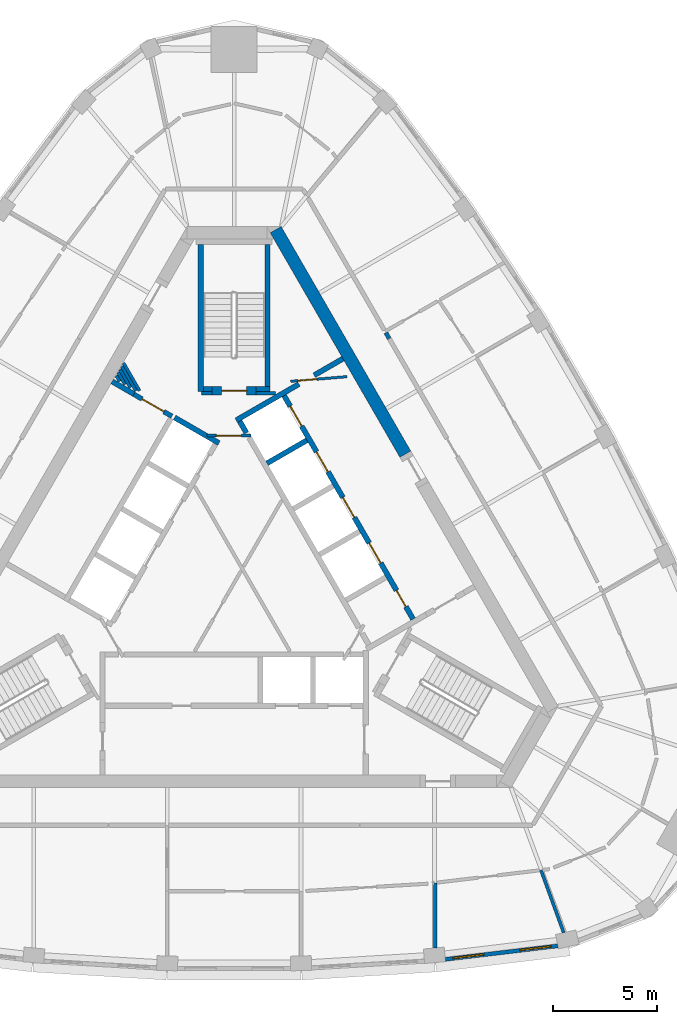
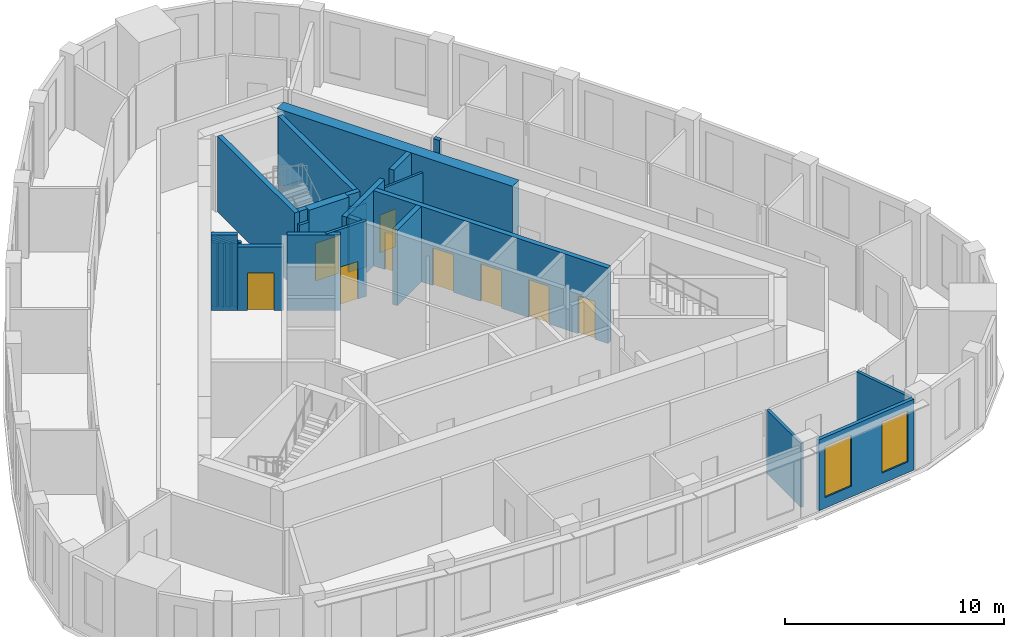
# One storey, part 6 of 10: 27 walls, 9 doors, 2 windows, 11 openings.
"""IFC4 building model written with IfcOpenShell, lengths in metres."""

from ifc_helpers import new_model, si_unit, direction, frame, frame_2d, origin, place, context, subcontext, project, spatial, polyline, rectangle, outline, extrude, material, layer, layer_set, type_object, element, fill, save


model = new_model("IFC4")

# Units and contexts
model_context = context("Model", 3, precision=1e-05, world=origin(), true_north=direction((0.0, 1.0)))
body_context = subcontext(model_context, "Body", "Model", "MODEL_VIEW")
ifc_project = project(units=[si_unit("LENGTHUNIT", "METRE"), si_unit("AREAUNIT", "SQUARE_METRE"), si_unit("VOLUMEUNIT", "CUBIC_METRE"), si_unit("PLANEANGLEUNIT", "RADIAN"), si_unit("MASSUNIT", "GRAM", prefix="KILO")], contexts=[model_context])

# Site, building, storey
site_placement = place(None, origin())
site = spatial("IfcSite", under=ifc_project, at=site_placement, CompositionType="ELEMENT")
building_placement = place(site_placement, origin())
building = spatial("IfcBuilding", under=site, at=building_placement, Name="Mestral Congress Tower", CompositionType="ELEMENT")
storey_placement = place(building_placement, frame((0.0, 0.0, 275.39990234375)))
storey = spatial("IfcBuildingStorey", under=building, at=storey_placement, Name="L64", CompositionType="ELEMENT", Elevation=275.39990234375)

# Walls
ifc_material_1 = material(Name="Fire-rated board partition")
ifc_layer_1 = layer(ifc_material_1, 0.14990234375)
ifc_layer_set_1 = layer_set([ifc_layer_1], Name="Fire-rated board partition")
wall_type_1 = type_object("IfcWallType", Name="Core partition 150", PredefinedType="PARTITIONING", material=ifc_layer_set_1)
wall_1_placement = place(storey_placement, frame((-5.2939453125, 10.067138671875, 0.0), z_axis=(0.0, 0.0, 1.0), x_axis=(0.500054140411, -0.865994143547, 0.0)))
element("IfcWall", 1, at=wall_1_placement, inside=storey, type_object=wall_type_1, Name="L64 core wall", PredefinedType="PARTITIONING", context=body_context, shape_type="SweptSolid", body=[
    extrude(rectangle(XDim=1.529052734375, YDim=0.14990234375, at=frame_2d((0.7646484375, 0.0))), origin(), (0.0, 0.0, 1.0), 3.550048828125),
])
wall_2_placement = place(storey_placement, frame((-5.380615234375, 9.917236328125, 0.0), z_axis=(0.0, 0.0, 1.0), x_axis=(0.500136970483, -0.865946309396, 0.0)))
element("IfcWall", 2, at=wall_2_placement, inside=storey, type_object=wall_type_1, Name="L64 core wall", PredefinedType="PARTITIONING", context=body_context, shape_type="SweptSolid", body=[
    extrude(rectangle(XDim=1.359375, YDim=0.14990234375, at=frame_2d((0.6796875, 0.0))), origin(), (0.0, 0.0, 1.0), 3.550048828125),
])
wall_3_placement = place(storey_placement, frame((-5.467041015625, 9.76708984375, 0.0), z_axis=(0.0, 0.0, 1.0), x_axis=(0.500168849293, -0.86592789665, 0.0)))
element("IfcWall", 3, at=wall_3_placement, inside=storey, type_object=wall_type_1, Name="L64 core wall", PredefinedType="PARTITIONING", context=body_context, shape_type="SweptSolid", body=[
    extrude(rectangle(XDim=1.010009765625, YDim=0.14990234375, at=frame_2d((0.5048828125, 0.0))), origin(), (0.0, 0.0, 1.0), 3.550048828125),
])
wall_4_placement = place(storey_placement, frame((-5.5537109375, 9.6171875, 0.0), z_axis=(0.0, 0.0, 1.0), x_axis=(0.500253084543, -0.86587923604, 0.0)))
element("IfcWall", 4, at=wall_4_placement, inside=storey, type_object=wall_type_1, Name="L64 core wall", PredefinedType="PARTITIONING", context=body_context, shape_type="SweptSolid", body=[
    extrude(rectangle(XDim=0.663818359375, YDim=0.14990234375, at=frame_2d((0.33203125, 0.0))), origin(), (0.0, 0.0, 1.0), 3.550048828125),
])
wall_5_placement = place(storey_placement, frame((-5.640380859375, 9.46728515625, 0.0), z_axis=(0.0, 0.0, 1.0), x_axis=(0.499944387978, -0.86605750902, 0.0)))
element("IfcWall", 5, at=wall_5_placement, inside=storey, type_object=wall_type_1, Name="L64 core wall", PredefinedType="PARTITIONING", context=body_context, shape_type="SweptSolid", body=[
    extrude(rectangle(XDim=0.3173828125, YDim=0.14990234375, at=frame_2d((0.15869140625, 0.0))), origin(), (0.0, 0.0, 1.0), 3.550048828125),
])
wall_6_placement = place(storey_placement, frame((1.050048828125, 8.62548828125, 0.0), z_axis=(0.0, 0.0, 1.0), x_axis=(1.0, 0.0, 0.0)))
element("IfcWall", 6, at=wall_6_placement, inside=storey, type_object=wall_type_1, Name="L64 core wall", PredefinedType="PARTITIONING", context=body_context, shape_type="SweptSolid", body=[
    extrude(rectangle(XDim=0.9287109375, YDim=0.14990234375, at=frame_2d((0.46435546875, 0.0))), origin(), (0.0, 0.0, 1.0), 3.550048828125),
])
wall_7_placement = place(storey_placement, frame((-1.56396484375, 8.62548828125, 0.0), z_axis=(0.0, 0.0, 1.0), x_axis=(1.0, 0.0, 0.0)))
element("IfcWall", 7, at=wall_7_placement, inside=storey, type_object=wall_type_1, Name="L64 core wall", PredefinedType="PARTITIONING", context=body_context, shape_type="SweptSolid", body=[
    extrude(rectangle(XDim=0.513916015625, YDim=0.14990234375, at=frame_2d((0.2568359375, 0.0))), origin(), (0.0, 0.0, 1.0), 3.550048828125),
])

# Wall, opening, door
ifc_layer_2 = layer(ifc_material_1, 0.1201171875)
ifc_layer_set_2 = layer_set([ifc_layer_2], Name="Fire-rated board partition")
wall_type_2 = type_object("IfcWallType", Name="Core partition 150 door-wall 120", PredefinedType="PARTITIONING", material=ifc_layer_set_2)
wall_8_placement = place(storey_placement, frame((5.3984375, 9.418701171875, 0.0), z_axis=(0.0, 0.0, 1.0), x_axis=(-0.996653416376, -0.081743303248, 0.0)))
wall_8 = element("IfcWall", 8, at=wall_8_placement, inside=storey, type_object=wall_type_2, Name="L64 door wall", PredefinedType="PARTITIONING", context=body_context, shape_type="SweptSolid", body=[
    extrude(rectangle(XDim=2.699951171875, YDim=0.119873046875, at=frame_2d((1.35009765625, 0.0))), origin(), (0.0, 0.0, 1.0), 3.550048828125),
])
opening_1_placement = place(wall_8_placement, frame((1.449951171875, 0.0, 0.0)))
opening_1 = element("IfcOpeningElement", 9, at=opening_1_placement, cuts=wall_8, Name="Opening TD2", PredefinedType="OPENING", context=body_context, shape_type="SweptSolid", body=[
    extrude(rectangle(XDim=0.89990234375, YDim=2.10009765625, at=frame_2d((0.449951171875, 1.050048828125))), frame((0.0, 0.06982421875, 0.0), z_axis=(0.0, -1.0, 0.0), x_axis=(1.0, 0.0, 0.0)), (0.0, 0.0, 1.0), 0.139892578125),
])
ifc_material_2 = material(Name="Fire-rated steel door set", Category="steel")
door_type_1 = type_object("IfcDoorType", Name="Core door SR 900x2100", OperationType="SINGLE_SWING_LEFT", PredefinedType="DOOR", material=ifc_material_2)
door_1_placement = place(opening_1_placement, origin())
door_1 = element("IfcDoor", 10, at=door_1_placement, inside=storey, type_object=door_type_1, Name="Door TD2", OperationType="SINGLE_SWING_LEFT", OverallHeight=2.10009765625, OverallWidth=0.89990234375, PredefinedType="DOOR", context=body_context, shape_type="SweptSolid", body=[
    extrude(rectangle(XDim=0.89990234375, YDim=2.10009765625, at=frame_2d((0.449951171875, 1.050048828125))), frame((0.0, 0.02490234375, 0.0), z_axis=(0.0, -1.0, 0.0), x_axis=(1.0, 0.0, 0.0)), (0.0, 0.0, 1.0), 0.050048828125),
])
fill(opening_1, door_1)

ifc_layer_3 = layer(ifc_material_1, 0.22607421875)
ifc_layer_set_3 = layer_set([ifc_layer_3], Name="Fire-rated board partition")
wall_type_3 = type_object("IfcWallType", Name="Core partition 150 door-wall 226", PredefinedType="PARTITIONING", material=ifc_layer_set_3)
wall_9_placement = place(storey_placement, frame((-4.796142578125, 8.5751953125, 0.0), z_axis=(0.0, 0.0, 1.0), x_axis=(0.866009402589, -0.500027713859, 0.0)))
wall_9 = element("IfcWall", 11, at=wall_9_placement, inside=storey, type_object=wall_type_3, Name="L64 door wall", PredefinedType="PARTITIONING", context=body_context, shape_type="SweptSolid", body=[
    extrude(rectangle(XDim=2.10009765625, YDim=0.226318359375, at=frame_2d((1.050048828125, 0.0))), origin(), (0.0, 0.0, 1.0), 3.550048828125),
])
opening_2_placement = place(wall_9_placement, frame((0.449951171875, 0.0, 0.0)))
opening_2 = element("IfcOpeningElement", 12, at=opening_2_placement, cuts=wall_9, Name="Opening LB2-WL2", PredefinedType="OPENING", context=body_context, shape_type="SweptSolid", body=[
    extrude(rectangle(XDim=1.199951171875, YDim=2.10009765625, at=frame_2d((0.60009765625, 1.050048828125))), frame((0.0, 0.123046875, 0.0), z_axis=(0.0, -1.0, 0.0), x_axis=(1.0, 0.0, 0.0)), (0.0, 0.0, 1.0), 0.246337890625),
])
door_type_2 = type_object("IfcDoorType", Name="Core door LB 1200x2100", OperationType="SINGLE_SWING_LEFT", PredefinedType="DOOR", material=ifc_material_2)
door_2_placement = place(opening_2_placement, origin())
door_2 = element("IfcDoor", 13, at=door_2_placement, inside=storey, type_object=door_type_2, Name="Door LB2-WL2", OperationType="SINGLE_SWING_LEFT", OverallHeight=2.10009765625, OverallWidth=1.199951171875, PredefinedType="DOOR", context=body_context, shape_type="SweptSolid", body=[
    extrude(rectangle(XDim=1.199951171875, YDim=2.10009765625, at=frame_2d((0.60009765625, 1.050048828125))), frame((0.0, 0.02490234375, 0.0), z_axis=(0.0, -1.0, 0.0), x_axis=(1.0, 0.0, 0.0)), (0.0, 0.0, 1.0), 0.050048828125),
])
fill(opening_2, door_2)

# Wall
ifc_material_3 = material(Name="Concrete C60/75", Category="concrete")
ifc_layer_4 = layer(ifc_material_3, 0.60009765625)
ifc_layer_set_4 = layer_set([ifc_layer_4], Name="Concrete C60/75")
wall_type_4 = type_object("IfcWallType", Name="Core wall RC 600", PredefinedType="SOLIDWALL", material=ifc_layer_set_4)
wall_10_placement = place(storey_placement, frame((1.98876953125, 16.45556640625, 0.0), z_axis=(0.0, 0.0, 1.0), x_axis=(0.49999102663, -0.8660305845, 0.0)))
element("IfcWall", 14, at=wall_10_placement, inside=storey, type_object=wall_type_4, Name="L64 core wall", PredefinedType="SOLIDWALL", context=body_context, shape_type="SweptSolid", body=[
    extrude(rectangle(XDim=12.406494140625, YDim=0.60009765625, at=frame_2d((6.203125, 0.0))), origin(), (0.0, 0.0, 1.0), 4.2001953125),
])

# Wall, openings, windows
ifc_material_4 = material(Name="Precast concrete C40/50 with limestone facing", Category="masonry")
ifc_layer_5 = layer(ifc_material_4, 0.18994140625)
ifc_layer_set_5 = layer_set([ifc_layer_5], Name="Precast concrete C40/50 with limestone facing")
wall_type_5 = type_object("IfcWallType", Name="Facade stone wall 190", PredefinedType="SOLIDWALL", material=ifc_layer_set_5)
wall_11_placement = place(storey_placement, frame((10.110595703125, -18.4677734375, 0.0), z_axis=(0.0, 0.0, 1.0), x_axis=(0.992885582795, 0.119072328769, 0.0)))
wall_11 = element("IfcWall", 15, at=wall_11_placement, inside=storey, type_object=wall_type_5, Name="Facade wall F0-04", PredefinedType="SOLIDWALL", context=body_context, shape_type="SweptSolid", body=[
    extrude(rectangle(XDim=5.4150390625, YDim=0.18994140625, at=frame_2d((2.70751953125, 0.0))), origin(), (0.0, 0.0, 1.0), 3.9501953125),
])
opening_3_placement = place(wall_11_placement, frame((0.357421875, 0.0, 0.60009765625)))
opening_3 = element("IfcOpeningElement", 16, at=opening_3_placement, cuts=wall_11, Name="Opening W6", PredefinedType="OPENING", context=body_context, shape_type="SweptSolid", body=[
    extrude(rectangle(XDim=1.5, YDim=2.85009765625, at=frame_2d((0.75, 1.425048828125))), frame((0.0, 0.10498046875, 0.0), z_axis=(0.0, -1.0, 0.0), x_axis=(1.0, 0.0, 0.0)), (0.0, 0.0, 1.0), 0.2099609375),
])
opening_4_placement = place(wall_11_placement, frame((3.592529296875, 0.0, 0.60009765625)))
opening_4 = element("IfcOpeningElement", 17, at=opening_4_placement, cuts=wall_11, Name="Opening W6", PredefinedType="OPENING", context=body_context, shape_type="SweptSolid", body=[
    extrude(rectangle(XDim=1.5, YDim=2.85009765625, at=frame_2d((0.75, 1.425048828125))), frame((0.0, 0.10498046875, 0.0), z_axis=(0.0, -1.0, 0.0), x_axis=(1.0, 0.0, 0.0)), (0.0, 0.0, 1.0), 0.2099609375),
])
ifc_material_5 = material(Name="Clear low-emissivity double glazing", Category="glass")
window_type = type_object("IfcWindowType", Name="Facade punched window 1500 x 2850 sill 600", PartitioningType="SINGLE_PANEL", PredefinedType="WINDOW", material=ifc_material_5)
window_1_placement = place(opening_3_placement, origin())
window_1 = element("IfcWindow", 18, at=window_1_placement, inside=storey, type_object=window_type, Name="Window F0-04a", OverallHeight=2.85009765625, OverallWidth=1.5, PartitioningType="SINGLE_PANEL", PredefinedType="WINDOW", context=body_context, shape_type="SweptSolid", body=[
    extrude(rectangle(XDim=1.5, YDim=2.85009765625, at=frame_2d((0.75, 1.425048828125))), frame((0.0, 0.044921875, 0.0), z_axis=(0.0, -1.0, 0.0), x_axis=(1.0, 0.0, 0.0)), (0.0, 0.0, 1.0), 0.06005859375),
])
fill(opening_3, window_1)
window_2_placement = place(opening_4_placement, origin())
window_2 = element("IfcWindow", 19, at=window_2_placement, inside=storey, type_object=window_type, Name="Window F0-04b", OverallHeight=2.85009765625, OverallWidth=1.5, PartitioningType="SINGLE_PANEL", PredefinedType="WINDOW", context=body_context, shape_type="SweptSolid", body=[
    extrude(rectangle(XDim=1.5, YDim=2.85009765625, at=frame_2d((0.75, 1.425048828125))), frame((0.0, 0.044921875, 0.0), z_axis=(0.0, -1.0, 0.0), x_axis=(1.0, 0.0, 0.0)), (0.0, 0.0, 1.0), 0.06005859375),
])
fill(opening_4, window_2)

# Walls
ifc_material_6 = material(Name="Plasterboard partition on steel studs", Category="steel")
ifc_layer_6 = layer(ifc_material_6, 0.14990234375)
ifc_layer_set_6 = layer_set([ifc_layer_6], Name="Plasterboard partition on steel studs")
wall_type_6 = type_object("IfcWallType", Name="Office partition 150", PredefinedType="PARTITIONING", material=ifc_layer_set_6)
wall_12_placement = place(storey_placement, frame((9.62744140625, -14.80419921875, 0.0), z_axis=(0.0, 0.0, 1.0), x_axis=(0.0, -1.0, 0.0)))
element("IfcWall", 20, at=wall_12_placement, inside=storey, type_object=wall_type_6, Name="Partition", PredefinedType="PARTITIONING", context=body_context, shape_type="SweptSolid", body=[
    extrude(rectangle(XDim=3.114501953125, YDim=0.14990234375, at=frame_2d((1.55712890625, 0.0))), origin(), (0.0, 0.0, 1.0), 3.550048828125),
])
wall_13_placement = place(storey_placement, frame((14.68603515625, -14.19775390625, 0.0), z_axis=(0.0, 0.0, 1.0), x_axis=(0.341804623966, -0.939771035431, 0.0)))
element("IfcWall", 21, at=wall_13_placement, inside=storey, type_object=wall_type_6, Name="Partition", PredefinedType="PARTITIONING", context=body_context, shape_type="SweptSolid", body=[
    extrude(rectangle(XDim=3.184326171875, YDim=0.14990234375, at=frame_2d((1.59228515625, 0.0))), origin(), (0.0, 0.0, 1.0), 3.550048828125),
])
ifc_material_7 = material(Name="Dense masonry wall, plastered", Category="masonry")
ifc_layer_7 = layer(ifc_material_7, 0.199951171875)
ifc_layer_set_7 = layer_set([ifc_layer_7], Name="Dense masonry wall, plastered")
wall_type_7 = type_object("IfcWallType", Name="Office tenancy wall 200", PredefinedType="PARTITIONING", material=ifc_layer_set_7)
wall_14_placement = place(storey_placement, frame((7.420654296875, 11.2470703125, 0.0), z_axis=(0.0, 0.0, 1.0), x_axis=(-0.500303403544, 0.865850162789, 0.0)))
element("IfcWall", 22, at=wall_14_placement, inside=storey, type_object=wall_type_7, Name="Tenancy wall", PredefinedType="PARTITIONING", context=body_context, shape_type="SweptSolid", body=[
    extrude(rectangle(XDim=0.315185546875, YDim=0.199951171875, at=frame_2d((0.15771484375, 0.0))), origin(), (0.0, 0.0, 1.0), 3.550048828125),
])
ifc_layer_8 = layer(ifc_material_3, 0.25)
ifc_layer_set_8 = layer_set([ifc_layer_8], Name="Concrete C60/75")
wall_type_8 = type_object("IfcWallType", Name="Shaft wall RC 250", PredefinedType="SOLIDWALL", material=ifc_layer_set_8)
wall_15_placement = place(storey_placement, frame((3.10009765625, 9.064453125, 0.0), z_axis=(0.0, 0.0, 1.0), x_axis=(-0.866033137035, -0.499986605379, 0.0)))
element("IfcWall", 23, at=wall_15_placement, inside=storey, type_object=wall_type_8, Name="L64 core wall", PredefinedType="SOLIDWALL", context=body_context, shape_type="SweptSolid", body=[
    extrude(rectangle(XDim=3.466796875, YDim=0.25, at=frame_2d((1.7333984375, 0.0))), origin(), (0.0, 0.0, 1.0), 4.2001953125),
])
wall_16_placement = place(storey_placement, frame((0.268310546875, 7.28515625, 0.0), z_axis=(0.0, 0.0, 1.0), x_axis=(0.500098681536, -0.865968422476, 0.0)))
element("IfcWall", 24, at=wall_16_placement, inside=storey, type_object=wall_type_8, Name="L64 core wall", PredefinedType="SOLIDWALL", context=body_context, shape_type="SweptSolid", body=[
    extrude(rectangle(XDim=0.636474609375, YDim=0.25, at=frame_2d((0.318359375, 0.0))), origin(), (0.0, 0.0, 1.0), 4.2001953125),
])
wall_17_placement = place(storey_placement, frame((1.57421875, 5.273681640625, 0.0), z_axis=(0.0, 0.0, 1.0), x_axis=(0.866028486751, 0.499994660107, 0.0)))
element("IfcWall", 25, at=wall_17_placement, inside=storey, type_object=wall_type_8, Name="L64 core wall", PredefinedType="SOLIDWALL", context=body_context, shape_type="SweptSolid", body=[
    extrude(rectangle(XDim=2.19970703125, YDim=0.25, at=frame_2d((1.099853515625, 0.0))), origin(), (0.0, 0.0, 1.0), 4.2001953125),
])
wall_18_placement = place(storey_placement, frame((3.82958984375, 9.485595703125, 0.0), z_axis=(0.0, 0.0, 1.0), x_axis=(0.865986202621, 0.500067892261, 0.0)))
element("IfcWall", 26, at=wall_18_placement, inside=storey, type_object=wall_type_8, Name="L64 core wall", PredefinedType="SOLIDWALL", context=body_context, shape_type="SweptSolid", body=[
    extrude(rectangle(XDim=1.590576171875, YDim=0.25, at=frame_2d((0.79541015625, 0.0))), origin(), (0.0, 0.0, 1.0), 4.2001953125),
])
wall_19_placement = place(storey_placement, origin())
element("IfcWall", 27, at=wall_19_placement, inside=storey, type_object=wall_type_8, Name="L64 core wall", PredefinedType="SOLIDWALL", context=body_context, shape_type="SweptSolid", body=[
    extrude(outline(polyline([(-2.911865234375, 7.3564453125), (-2.786865234375, 7.572998046875), (-1.231689453125, 6.675048828125), (-1.303466796875, 6.675048828125), (-1.3037109375, 6.675048828125), (-1.3037109375, 6.675048828125), (-1.3037109375, 6.52490234375), (-1.3037109375, 6.52490234375), (-1.303466796875, 6.52490234375), (-0.971435546875, 6.52490234375), (-0.6650390625, 6.347900390625), (-0.7900390625, 6.131591796875), (-1.006591796875, 6.256591796875), (-1.006591796875, 6.256591796875), (-2.911865234375, 7.3564453125)])), origin(), (0.0, 0.0, 1.0), 4.2001953125),
])
wall_20_placement = place(storey_placement, frame((-5.837158203125, 9.189697265625, 0.0), z_axis=(0.0, 0.0, 1.0), x_axis=(0.866024298998, -0.500001913541, 0.0)))
element("IfcWall", 28, at=wall_20_placement, inside=storey, type_object=wall_type_8, Name="L64 core wall", PredefinedType="SOLIDWALL", context=body_context, shape_type="SweptSolid", body=[
    extrude(rectangle(XDim=1.2099609375, YDim=0.25, at=frame_2d((0.60498046875, 0.0))), origin(), (0.0, 0.0, 1.0), 4.2001953125),
])

# Wall, openings, doors
wall_21_placement = place(storey_placement, frame((8.565185546875, -2.185302734375, 0.0), z_axis=(0.0, 0.0, 1.0), x_axis=(-0.499997954832, 0.866026584559, 0.0)))
wall_21 = element("IfcWall", 29, at=wall_21_placement, inside=storey, type_object=wall_type_8, Name="L64 door wall", PredefinedType="SOLIDWALL", context=body_context, shape_type="SweptSolid", body=[
    extrude(rectangle(XDim=12.35009765625, YDim=0.25, at=frame_2d((6.175048828125, 0.0))), origin(), (0.0, 0.0, 1.0), 4.2001953125),
])
opening_5_placement = place(wall_21_placement, frame((0.68505859375, 0.0, 0.0)))
opening_5 = element("IfcOpeningElement", 30, at=opening_5_placement, cuts=wall_21, Name="Opening SR-NEB1", PredefinedType="OPENING", context=body_context, shape_type="SweptSolid", body=[
    extrude(rectangle(XDim=0.89990234375, YDim=2.10009765625, at=frame_2d((0.449951171875, 1.050048828125))), frame((0.0, 0.135009765625, 0.0), z_axis=(0.0, -1.0, 0.0), x_axis=(1.0, 0.0, 0.0)), (0.0, 0.0, 1.0), 0.27001953125),
])
opening_6_placement = place(wall_21_placement, frame((3.10498046875, 0.0, 0.0)))
opening_6 = element("IfcOpeningElement", 31, at=opening_6_placement, cuts=wall_21, Name="Opening LD-NEB2", PredefinedType="OPENING", context=body_context, shape_type="SweptSolid", body=[
    extrude(rectangle(XDim=1.10009765625, YDim=2.10009765625, at=frame_2d((0.550048828125, 1.050048828125))), frame((0.0, 0.135009765625, 0.0), z_axis=(0.0, -1.0, 0.0), x_axis=(1.0, 0.0, 0.0)), (0.0, 0.0, 1.0), 0.27001953125),
])
opening_7_placement = place(wall_21_placement, frame((5.625, 0.0, 0.0)))
opening_7 = element("IfcOpeningElement", 32, at=opening_7_placement, cuts=wall_21, Name="Opening LD-NEB3", PredefinedType="OPENING", context=body_context, shape_type="SweptSolid", body=[
    extrude(rectangle(XDim=1.10009765625, YDim=2.10009765625, at=frame_2d((0.550048828125, 1.050048828125))), frame((0.0, 0.135009765625, 0.0), z_axis=(0.0, -1.0, 0.0), x_axis=(1.0, 0.0, 0.0)), (0.0, 0.0, 1.0), 0.27001953125),
])
opening_8_placement = place(wall_21_placement, frame((8.14501953125, 0.0, 0.0)))
opening_8 = element("IfcOpeningElement", 33, at=opening_8_placement, cuts=wall_21, Name="Opening LD-NEB4", PredefinedType="OPENING", context=body_context, shape_type="SweptSolid", body=[
    extrude(rectangle(XDim=1.10009765625, YDim=2.10009765625, at=frame_2d((0.550048828125, 1.050048828125))), frame((0.0, 0.135009765625, 0.0), z_axis=(0.0, -1.0, 0.0), x_axis=(1.0, 0.0, 0.0)), (0.0, 0.0, 1.0), 0.27001953125),
])
opening_9_placement = place(wall_21_placement, frame((10.6650390625, 0.0, 0.0)))
opening_9 = element("IfcOpeningElement", 34, at=opening_9_placement, cuts=wall_21, Name="Opening LD-NEB5", PredefinedType="OPENING", context=body_context, shape_type="SweptSolid", body=[
    extrude(rectangle(XDim=1.10009765625, YDim=2.10009765625, at=frame_2d((0.550048828125, 1.050048828125))), frame((0.0, 0.135009765625, 0.0), z_axis=(0.0, -1.0, 0.0), x_axis=(1.0, 0.0, 0.0)), (0.0, 0.0, 1.0), 0.27001953125),
])
door_type_3 = type_object("IfcDoorType", Name="Core door LD 1100x2100", OperationType="DOUBLE_DOOR_SLIDING", PredefinedType="DOOR", material=ifc_material_2)
door_3_placement = place(opening_6_placement, origin())
door_3 = element("IfcDoor", 35, at=door_3_placement, inside=storey, type_object=door_type_3, Name="Door LD-NEB2", OperationType="DOUBLE_DOOR_SLIDING", OverallHeight=2.10009765625, OverallWidth=1.10009765625, PredefinedType="DOOR", context=body_context, shape_type="SweptSolid", body=[
    extrude(rectangle(XDim=1.10009765625, YDim=2.10009765625, at=frame_2d((0.550048828125, 1.050048828125))), frame((0.0, 0.02490234375, 0.0), z_axis=(0.0, -1.0, 0.0), x_axis=(1.0, 0.0, 0.0)), (0.0, 0.0, 1.0), 0.050048828125),
])
fill(opening_6, door_3)
door_4_placement = place(opening_7_placement, origin())
door_4 = element("IfcDoor", 36, at=door_4_placement, inside=storey, type_object=door_type_3, Name="Door LD-NEB3", OperationType="DOUBLE_DOOR_SLIDING", OverallHeight=2.10009765625, OverallWidth=1.10009765625, PredefinedType="DOOR", context=body_context, shape_type="SweptSolid", body=[
    extrude(rectangle(XDim=1.10009765625, YDim=2.10009765625, at=frame_2d((0.550048828125, 1.050048828125))), frame((0.0, 0.02490234375, 0.0), z_axis=(0.0, -1.0, 0.0), x_axis=(1.0, 0.0, 0.0)), (0.0, 0.0, 1.0), 0.050048828125),
])
fill(opening_7, door_4)
door_5_placement = place(opening_8_placement, origin())
door_5 = element("IfcDoor", 37, at=door_5_placement, inside=storey, type_object=door_type_3, Name="Door LD-NEB4", OperationType="DOUBLE_DOOR_SLIDING", OverallHeight=2.10009765625, OverallWidth=1.10009765625, PredefinedType="DOOR", context=body_context, shape_type="SweptSolid", body=[
    extrude(rectangle(XDim=1.10009765625, YDim=2.10009765625, at=frame_2d((0.550048828125, 1.050048828125))), frame((0.0, 0.02490234375, 0.0), z_axis=(0.0, -1.0, 0.0), x_axis=(1.0, 0.0, 0.0)), (0.0, 0.0, 1.0), 0.050048828125),
])
fill(opening_8, door_5)
door_6_placement = place(opening_9_placement, origin())
door_6 = element("IfcDoor", 38, at=door_6_placement, inside=storey, type_object=door_type_3, Name="Door LD-NEB5", OperationType="DOUBLE_DOOR_SLIDING", OverallHeight=2.10009765625, OverallWidth=1.10009765625, PredefinedType="DOOR", context=body_context, shape_type="SweptSolid", body=[
    extrude(rectangle(XDim=1.10009765625, YDim=2.10009765625, at=frame_2d((0.550048828125, 1.050048828125))), frame((0.0, 0.02490234375, 0.0), z_axis=(0.0, -1.0, 0.0), x_axis=(1.0, 0.0, 0.0)), (0.0, 0.0, 1.0), 0.050048828125),
])
fill(opening_9, door_6)
door_7_placement = place(opening_5_placement, origin())
door_7 = element("IfcDoor", 39, at=door_7_placement, inside=storey, type_object=door_type_1, Name="Door SR-NEB1", OperationType="SINGLE_SWING_LEFT", OverallHeight=2.10009765625, OverallWidth=0.89990234375, PredefinedType="DOOR", context=body_context, shape_type="SweptSolid", body=[
    extrude(rectangle(XDim=0.89990234375, YDim=2.10009765625, at=frame_2d((0.449951171875, 1.050048828125))), frame((0.0, 0.02490234375, 0.0), z_axis=(0.0, -1.0, 0.0), x_axis=(1.0, 0.0, 0.0)), (0.0, 0.0, 1.0), 0.050048828125),
])
fill(opening_5, door_7)

# Wall, opening, door
ifc_layer_9 = layer(ifc_material_3, 0.14990234375)
ifc_layer_set_9 = layer_set([ifc_layer_9], Name="Concrete C60/75")
wall_type_9 = type_object("IfcWallType", Name="Shaft wall RC 250 door-wall 150", PredefinedType="SOLIDWALL", material=ifc_layer_set_9)
wall_22_placement = place(storey_placement, frame((-1.303466796875, 6.60009765625, 0.0), z_axis=(0.0, 0.0, 1.0), x_axis=(1.0, 0.0, 0.0)))
wall_22 = element("IfcWall", 40, at=wall_22_placement, inside=storey, type_object=wall_type_9, Name="L64 door wall", PredefinedType="PARTITIONING", context=body_context, shape_type="SweptSolid", body=[
    extrude(rectangle(XDim=2.099853515625, YDim=0.14990234375, at=frame_2d((1.0498046875, 0.0))), origin(), (0.0, 0.0, 1.0), 4.2001953125),
])
opening_10_placement = place(wall_22_placement, frame((0.449951171875, 0.0, 0.0)))
opening_10 = element("IfcOpeningElement", 41, at=opening_10_placement, cuts=wall_22, Name="Opening CD2-HUB1", PredefinedType="OPENING", context=body_context, shape_type="SweptSolid", body=[
    extrude(rectangle(XDim=1.199951171875, YDim=2.10009765625, at=frame_2d((0.60009765625, 1.050048828125))), frame((0.0, 0.0849609375, 0.0), z_axis=(0.0, -1.0, 0.0), x_axis=(1.0, 0.0, 0.0)), (0.0, 0.0, 1.0), 0.169921875),
])
door_type_4 = type_object("IfcDoorType", Name="Core door CD 1200x2100", OperationType="SINGLE_SWING_LEFT", PredefinedType="DOOR", material=ifc_material_2)
door_8_placement = place(opening_10_placement, origin())
door_8 = element("IfcDoor", 42, at=door_8_placement, inside=storey, type_object=door_type_4, Name="Door CD2-HUB1", OperationType="SINGLE_SWING_LEFT", OverallHeight=2.10009765625, OverallWidth=1.199951171875, PredefinedType="DOOR", context=body_context, shape_type="SweptSolid", body=[
    extrude(rectangle(XDim=1.199951171875, YDim=2.10009765625, at=frame_2d((0.60009765625, 1.050048828125))), frame((0.0, 0.02490234375, 0.0), z_axis=(0.0, -1.0, 0.0), x_axis=(1.0, 0.0, 0.0)), (0.0, 0.0, 1.0), 0.050048828125),
])
fill(opening_10, door_8)

# Walls
ifc_layer_10 = layer(ifc_material_3, 0.25)
ifc_layer_set_10 = layer_set([ifc_layer_10], Name="Concrete C60/75")
wall_type_10 = type_object("IfcWallType", Name="Stair wall RC 250", PredefinedType="SOLIDWALL", material=ifc_layer_set_10)
wall_23_placement = place(storey_placement, frame((1.60009765625, 8.949951171875, 0.0), z_axis=(0.0, 0.0, 1.0), x_axis=(0.0, 1.0, 0.0)))
element("IfcWall", 43, at=wall_23_placement, inside=storey, type_object=wall_type_10, Name="L64 core wall", PredefinedType="SOLIDWALL", context=body_context, shape_type="SweptSolid", body=[
    extrude(rectangle(XDim=6.800048828125, YDim=0.25, at=frame_2d((3.39990234375, 0.0))), origin(), (0.0, 0.0, 1.0), 4.2001953125),
])
wall_24_placement = place(storey_placement, frame((1.050048828125, 8.824951171875, 0.0), z_axis=(0.0, 0.0, 1.0), x_axis=(1.0, 0.0, 0.0)))
element("IfcWall", 44, at=wall_24_placement, inside=storey, type_object=wall_type_10, Name="L64 core wall", PredefinedType="SOLIDWALL", context=body_context, shape_type="SweptSolid", body=[
    extrude(rectangle(XDim=0.675048828125, YDim=0.25, at=frame_2d((0.33740234375, 0.0))), origin(), (0.0, 0.0, 1.0), 4.2001953125),
])
wall_25_placement = place(storey_placement, frame((-1.60009765625, 8.699951171875, 0.0), z_axis=(0.0, 0.0, 1.0), x_axis=(0.0, 1.0, 0.0)))
element("IfcWall", 45, at=wall_25_placement, inside=storey, type_object=wall_type_10, Name="L64 core wall", PredefinedType="SOLIDWALL", context=body_context, shape_type="SweptSolid", body=[
    extrude(rectangle(XDim=7.050048828125, YDim=0.25, at=frame_2d((3.52490234375, 0.0))), origin(), (0.0, 0.0, 1.0), 4.2001953125),
])
wall_26_placement = place(storey_placement, frame((-1.47509765625, 8.824951171875, 0.0), z_axis=(0.0, 0.0, 1.0), x_axis=(1.0, 0.0, 0.0)))
element("IfcWall", 46, at=wall_26_placement, inside=storey, type_object=wall_type_10, Name="L64 core wall", PredefinedType="SOLIDWALL", context=body_context, shape_type="SweptSolid", body=[
    extrude(rectangle(XDim=0.425048828125, YDim=0.25, at=frame_2d((0.21240234375, 0.0))), origin(), (0.0, 0.0, 1.0), 4.2001953125),
])

# Wall, opening, door
ifc_layer_11 = layer(ifc_material_3, 0.39990234375)
ifc_layer_set_11 = layer_set([ifc_layer_11], Name="Concrete C60/75")
wall_type_11 = type_object("IfcWallType", Name="Stair wall RC 250 door-wall 400", PredefinedType="SOLIDWALL", material=ifc_layer_set_11)
wall_27_placement = place(storey_placement, frame((1.050048828125, 8.75, 0.0), z_axis=(0.0, 0.0, 1.0), x_axis=(-1.0, 0.0, 0.0)))
wall_27 = element("IfcWall", 47, at=wall_27_placement, inside=storey, type_object=wall_type_11, Name="L64 door wall", PredefinedType="SOLIDWALL", context=body_context, shape_type="SweptSolid", body=[
    extrude(rectangle(XDim=2.10009765625, YDim=0.39990234375, at=frame_2d((1.050048828125, 0.0))), origin(), (0.0, 0.0, 1.0), 4.2001953125),
])
opening_11_placement = place(wall_27_placement, frame((0.449951171875, 0.0, 0.0)))
opening_11 = element("IfcOpeningElement", 48, at=opening_11_placement, cuts=wall_27, Name="Opening ST-D2", PredefinedType="OPENING", context=body_context, shape_type="SweptSolid", body=[
    extrude(rectangle(XDim=1.199951171875, YDim=2.10009765625, at=frame_2d((0.60009765625, 1.050048828125))), frame((0.0, 0.2099609375, 0.0), z_axis=(0.0, -1.0, 0.0), x_axis=(1.0, 0.0, 0.0)), (0.0, 0.0, 1.0), 0.419921875),
])
door_type_5 = type_object("IfcDoorType", Name="Core door ST 1200x2100", OperationType="SINGLE_SWING_LEFT", PredefinedType="DOOR", material=ifc_material_2)
door_9_placement = place(opening_11_placement, origin())
door_9 = element("IfcDoor", 49, at=door_9_placement, inside=storey, type_object=door_type_5, Name="Door ST-D2", OperationType="SINGLE_SWING_LEFT", OverallHeight=2.10009765625, OverallWidth=1.199951171875, PredefinedType="DOOR", context=body_context, shape_type="SweptSolid", body=[
    extrude(rectangle(XDim=1.199951171875, YDim=2.10009765625, at=frame_2d((0.60009765625, 1.050048828125))), frame((0.0, 0.02490234375, 0.0), z_axis=(0.0, -1.0, 0.0), x_axis=(1.0, 0.0, 0.0)), (0.0, 0.0, 1.0), 0.050048828125),
])
fill(opening_11, door_9)

save(model, "model.ifc")
